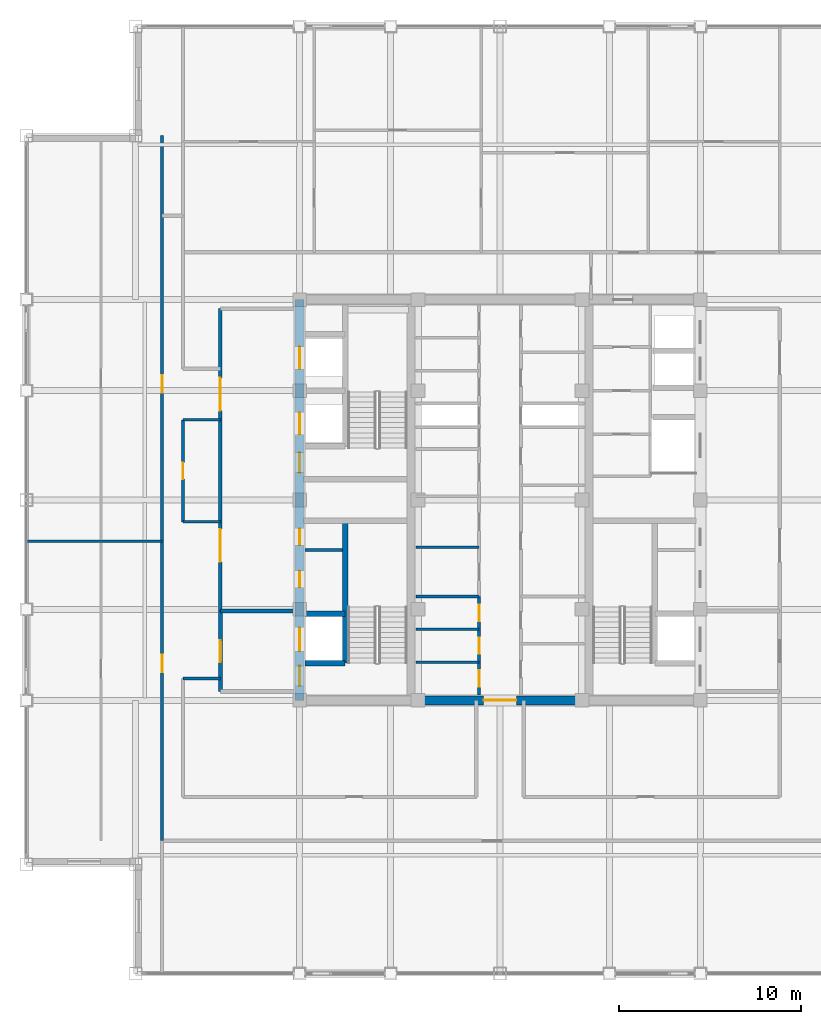
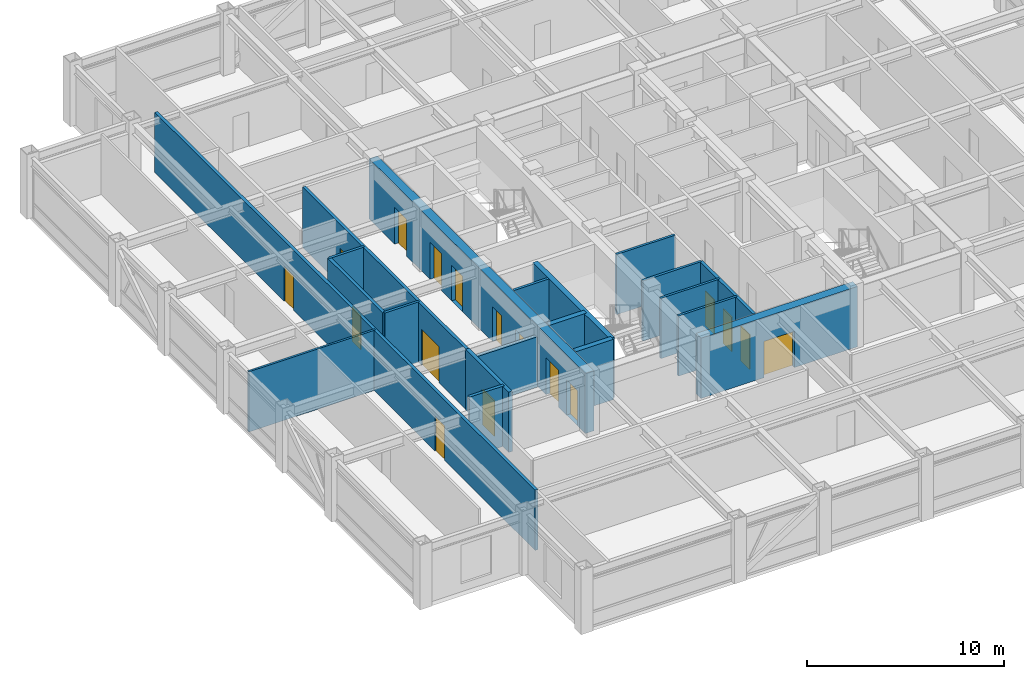
# One storey, part 24 of 29: 20 walls, 17 doors, 17 openings.
"""IFC4 building model written with IfcOpenShell, lengths in metres."""

import ifcopenshell
import ifcopenshell.guid

model = None  # the IFC model being written
_history = None  # IfcOwnerHistory: only IFC2X3 demands one
_inside = {}  # id of a spatial element -> (the spatial element, [elements in it])
_under = {}  # id of a project, library or spatial element -> (it, [spatial elements below it])
_declared = {}  # id of a project -> (the project, [libraries it declares])
_typed = {}  # id of a type object -> (the type object, [elements of that type])
_made_of = {}  # id of a material, layer set ... -> (it, [elements and type objects made of it])


def new_model(schema):
    """Start an empty IFC model of exactly this schema.

    Asked for "IFC4X3", IfcOpenShell would pick the latest addendum, in which some entities
    have other attributes; the version numbers below select the first issue.
    IFC2X3 requires an IfcOwnerHistory on every rooted entity: one is made here for all.
    """
    global model, _history
    if schema == "IFC4X3":
        model = ifcopenshell.file(schema_version=(4, 3, 0, 0))
    else:
        model = ifcopenshell.file(schema=schema)
    _inside.clear()
    _under.clear()
    _declared.clear()
    _typed.clear()
    _made_of.clear()
    _history = None
    if model.schema == "IFC2X3":
        org = make("IfcOrganization", Name="unknown")
        user = make(
            "IfcPersonAndOrganization",
            ThePerson=make("IfcPerson", FamilyName="unknown"),
            TheOrganization=org,
        )
        app = make(
            "IfcApplication",
            ApplicationDeveloper=org,
            Version="unknown",
            ApplicationFullName="unknown",
            ApplicationIdentifier="unknown",
        )
        _history = make(
            "IfcOwnerHistory",
            OwningUser=user,
            OwningApplication=app,
            ChangeAction="ADDED",
            CreationDate=0,
        )
    return model


def make(cls, **values):
    """One entity of the class cls with the attributes given. An attribute that is None is left unset."""
    return model.create_entity(
        cls, **{name: value for name, value in values.items() if value is not None}
    )


def rooted(cls, **values):
    """An entity with a GlobalId (a new one), such as an element, a storey or a relation."""
    return make(cls, GlobalId=ifcopenshell.guid.new(), OwnerHistory=_history, **values)


def si_unit(unit_type, name, prefix=None):
    """IfcSIUnit, for example si_unit("LENGTHUNIT", "METRE", prefix="MILLI")."""
    return make("IfcSIUnit", UnitType=unit_type, Prefix=prefix, Name=name)


def assignment(units):
    """IfcUnitAssignment: the units of a project."""
    return None if units is None else make("IfcUnitAssignment", Units=units)


def point(xyz):
    """IfcCartesianPoint."""
    return None if xyz is None else make("IfcCartesianPoint", Coordinates=xyz)


def direction(xyz):
    """IfcDirection."""
    return None if xyz is None else make("IfcDirection", DirectionRatios=xyz)


def frame(location, z_axis=None, x_axis=None):
    """IfcAxis2Placement3D, a coordinate frame: its origin and axes. An axis left out is left unset."""
    return make(
        "IfcAxis2Placement3D",
        Location=point(location),
        Axis=direction(z_axis),
        RefDirection=direction(x_axis),
    )


def frame_2d(location, x_axis=None):
    """IfcAxis2Placement2D, a coordinate frame in the plane: its origin and x axis."""
    return make(
        "IfcAxis2Placement2D", Location=point(location), RefDirection=direction(x_axis)
    )


def origin():
    """The frame at (0, 0, 0) with its axes left unset."""
    return frame((0.0, 0.0, 0.0))


def place(relative_to, where):
    """IfcLocalPlacement: puts the frame where relative to a parent placement (None: the world)."""
    return make(
        "IfcLocalPlacement", PlacementRelTo=relative_to, RelativePlacement=where
    )


def context(
    kind, dimensions, precision=None, world=None, true_north=None, identifier=None
):
    """IfcGeometricRepresentationContext, for example the 3D "Model" context."""
    return make(
        "IfcGeometricRepresentationContext",
        ContextIdentifier=identifier,
        ContextType=kind,
        CoordinateSpaceDimension=dimensions,
        Precision=precision,
        WorldCoordinateSystem=world,
        TrueNorth=true_north,
    )


def subcontext(parent, identifier, kind, view, scale=None):
    """IfcGeometricRepresentationSubContext, for example "Body" below "Model"."""
    return make(
        "IfcGeometricRepresentationSubContext",
        ContextIdentifier=identifier,
        ContextType=kind,
        ParentContext=parent,
        TargetScale=scale,
        TargetView=view,
    )


def project(units=None, contexts=None):
    """IfcProject with its units and contexts."""
    return rooted(
        "IfcProject",
        Name="project",
        RepresentationContexts=contexts,
        UnitsInContext=assignment(units),
    )


def spatial(cls, under=None, at=None, **own):
    """A site, building, storey or space (cls), placed at a placement, below another one or the project."""
    s = rooted(cls, ObjectPlacement=at, **own)
    if under is not None:
        _under.setdefault(under.id(), (under, []))[1].append(s)
    return s


def profile(cls, at=None, kind="AREA", **sizes):
    """A parametric profile (cls). Its sizes go by their IFC names, for example OverallWidth=200.0."""
    return make(cls, ProfileType=kind, Position=at, **sizes)


def rectangle(**sizes):
    """IfcRectangleProfileDef."""
    return profile("IfcRectangleProfileDef", **sizes)


def extrude(swept, where, along, depth):
    """IfcExtrudedAreaSolid: the profile swept, set in the frame where, extruded along a direction by depth."""
    return make(
        "IfcExtrudedAreaSolid",
        SweptArea=swept,
        Position=where,
        ExtrudedDirection=direction(along),
        Depth=depth,
    )


def shape(context_of_items, identifier, shape_type, items):
    """IfcShapeRepresentation: the items that make up one representation, for example the "Body"."""
    return make(
        "IfcShapeRepresentation",
        ContextOfItems=context_of_items,
        RepresentationIdentifier=identifier,
        RepresentationType=shape_type,
        Items=items,
    )


def source(mapping_origin, context_of_items, identifier, shape_type, items):
    """IfcRepresentationMap: a shape defined once, which mapped items show again and again."""
    return make(
        "IfcRepresentationMap",
        MappingOrigin=mapping_origin,
        MappedRepresentation=shape(context_of_items, identifier, shape_type, items),
    )


def transform(
    local_origin,
    x_axis=None,
    y_axis=None,
    z_axis=None,
    scale=None,
    scale2=None,
    scale3=None,
    uniform=True,
):
    """IfcCartesianTransformationOperator3D, or its non-uniform kind. x_axis, y_axis, z_axis: its Axis1, 2, 3."""
    if uniform:
        return make(
            "IfcCartesianTransformationOperator3D",
            Axis1=direction(x_axis),
            Axis2=direction(y_axis),
            LocalOrigin=point(local_origin),
            Scale=scale,
            Axis3=direction(z_axis),
        )
    return make(
        "IfcCartesianTransformationOperator3DnonUniform",
        Axis1=direction(x_axis),
        Axis2=direction(y_axis),
        LocalOrigin=point(local_origin),
        Scale=scale,
        Axis3=direction(z_axis),
        Scale2=scale2,
        Scale3=scale3,
    )


def mapped(mapping_source, mapping_target):
    """IfcMappedItem: shows the shape of a source again, moved by a transform."""
    return make(
        "IfcMappedItem", MappingSource=mapping_source, MappingTarget=mapping_target
    )


def material(Name=None, Category=None):
    """IfcMaterial."""
    return make("IfcMaterial", Name=Name, Category=Category)


def layer(
    of_material, thickness, ventilated=None, Name=None, Category=None, Priority=None
):
    """IfcMaterialLayer: one layer of a wall or slab, of a material (None: an air gap)."""
    return make(
        "IfcMaterialLayer",
        Material=of_material,
        LayerThickness=thickness,
        IsVentilated=ventilated,
        Name=Name,
        Category=Category,
        Priority=Priority,
    )


def layer_set(layers, Name=None):
    """IfcMaterialLayerSet."""
    return make("IfcMaterialLayerSet", MaterialLayers=layers, LayerSetName=Name)


def made_of(thing, what):
    """Note that an element or type object is made of a material, layer set ...; save() writes the relation."""
    if what is not None:
        _made_of.setdefault(what.id(), (what, []))[1].append(thing)
    return thing


def type_object(cls, material=None, **own):
    """A type object (cls), such as IfcWallType, which elements share."""
    return made_of(rooted(cls, **own), material)


def element(
    cls,
    number,
    at=None,
    inside=None,
    cuts=None,
    type_object=None,
    material=None,
    context=None,
    identifier="Body",
    shape_type=None,
    held_by="IfcProductDefinitionShape",
    body=None,
    shapes=None,
    **own,
):
    """One element of the class cls, such as IfcWall. Its Tag is "e" and its number.

    at: its placement. inside: the storey or other place that contains it. cuts: it is an
    opening in that element (IfcRelVoidsElement). A single representation is given by context,
    identifier, shape_type and body (its items); several are given by shapes. held_by: the class
    of the entity that holds the representations. save() writes the other relations.
    """
    e = rooted(cls, Tag="e%d" % number, ObjectPlacement=at, **own)
    if body is not None:
        shapes = [shape(context, identifier, shape_type, body)]
    if shapes is not None:
        e.Representation = make(held_by, Representations=shapes)
    if inside is not None:
        _inside.setdefault(inside.id(), (inside, []))[1].append(e)
    if cuts is not None:
        rooted(
            "IfcRelVoidsElement", RelatingBuildingElement=cuts, RelatedOpeningElement=e
        )
    if type_object is not None:
        _typed.setdefault(type_object.id(), (type_object, []))[1].append(e)
    return made_of(e, material)


def fill(opening, filler):
    """IfcRelFillsElement: the door or window that sits in an opening."""
    return rooted(
        "IfcRelFillsElement",
        RelatingOpeningElement=opening,
        RelatedBuildingElement=filler,
    )


def aggregate(whole, parts):
    """IfcRelAggregates: a whole, such as a stair, and the parts it consists of."""
    return rooted("IfcRelAggregates", RelatingObject=whole, RelatedObjects=parts)


def save(model, path):
    """Write the relations noted so far, then the file.

    IfcRelAggregates (storeys below a building ...), IfcRelContainedInSpatialStructure (elements
    in a storey), IfcRelDefinesByType, IfcRelAssociatesMaterial and IfcRelDeclares: one each for
    every whole, place, type object, material and project.
    """
    for whole, parts in _under.values():
        aggregate(whole, parts)
    for where, things in _inside.values():
        rooted(
            "IfcRelContainedInSpatialStructure",
            RelatedElements=things,
            RelatingStructure=where,
        )
    for kind, things in _typed.values():
        rooted("IfcRelDefinesByType", RelatedObjects=things, RelatingType=kind)
    for what, things in _made_of.values():
        rooted("IfcRelAssociatesMaterial", RelatedObjects=things, RelatingMaterial=what)
    for by, libraries in _declared.values():
        rooted("IfcRelDeclares", RelatingContext=by, RelatedDefinitions=libraries)
    model.write(path)


model = new_model("IFC4")

# Units and contexts
model_context = context("Model", 3, precision=1e-05, world=origin(), true_north=direction((0.0, 1.0)))
body_context = subcontext(model_context, "Body", "Model", "MODEL_VIEW")
ifc_project = project(units=[si_unit("LENGTHUNIT", "METRE"), si_unit("AREAUNIT", "SQUARE_METRE"), si_unit("VOLUMEUNIT", "CUBIC_METRE"), si_unit("PLANEANGLEUNIT", "RADIAN"), si_unit("MASSUNIT", "GRAM", prefix="KILO")], contexts=[model_context])

# Site, building, storey
site_placement = place(None, origin())
site = spatial("IfcSite", under=ifc_project, at=site_placement, CompositionType="ELEMENT")
building_placement = place(site_placement, origin())
building = spatial("IfcBuilding", under=site, at=building_placement, Name="Khorayat Bourse Tower", CompositionType="ELEMENT")
storey_placement = place(building_placement, frame((0.0, 0.0, 358.300048828125)))
storey = spatial("IfcBuildingStorey", under=building, at=storey_placement, Name="L85", CompositionType="ELEMENT", Elevation=358.300048828125)

# Wall, openings, doors
ifc_material_1 = material(Name="Concrete C52/65", Category="concrete")
ifc_layer_1 = layer(ifc_material_1, 0.5)
ifc_layer_set_1 = layer_set([ifc_layer_1], Name="Concrete C52/65")
wall_type_1 = type_object("IfcWallType", Name="WAL-CORE-500", PredefinedType="SHEAR", material=ifc_layer_set_1)
shared_shape_1 = source(origin(), body_context, "Body", "SweptSolid", [
    extrude(rectangle(XDim=22.0, YDim=0.5, at=frame_2d((11.0, 0.0))), origin(), (0.0, 0.0, 1.0), 3.739990234375),
])
wall_1_placement = place(storey_placement, frame((-11.0, -11.0, 0.0), z_axis=(0.0, 0.0, 1.0), x_axis=(0.0, 1.0, 0.0)))
wall_1 = element("IfcWall", 1, at=wall_1_placement, inside=storey, type_object=wall_type_1, Name="L85 Core Shear Wall CORE-W", PredefinedType="SHEAR", context=body_context, shape_type="MappedRepresentation", body=[
    mapped(shared_shape_1, transform((0.0, 0.0, 0.0), scale=1.0)),
])
shared_shape_2 = source(origin(), body_context, "Body", "SweptSolid", [
    extrude(rectangle(XDim=1.10009765625, YDim=2.199951171875, at=frame_2d((0.550048828125, 1.10009765625))), frame((0.0, 0.260009765625, 0.0), z_axis=(0.0, -1.0, 0.0), x_axis=(1.0, 0.0, 0.0)), (0.0, 0.0, 1.0), 0.52001953125),
])
opening_1_placement = place(wall_1_placement, frame((0.800048828125, 0.0, 0.0)))
opening_1 = element("IfcOpeningElement", 2, at=opening_1_placement, cuts=wall_1, Name="Opening DI-01", PredefinedType="OPENING", context=body_context, shape_type="MappedRepresentation", body=[
    mapped(shared_shape_2, transform((0.0, 0.0, 0.0), scale=1.0)),
])
opening_2_placement = place(wall_1_placement, frame((12.5, 0.0, 0.0)))
opening_2 = element("IfcOpeningElement", 3, at=opening_2_placement, cuts=wall_1, Name="Opening DI-01", PredefinedType="OPENING", context=body_context, shape_type="MappedRepresentation", body=[
    mapped(shared_shape_2, transform((0.0, 0.0, 0.0), scale=1.0)),
])
shared_shape_3 = source(origin(), body_context, "Body", "SweptSolid", [
    extrude(rectangle(XDim=0.89990234375, YDim=2.14990234375, at=frame_2d((0.449951171875, 1.074951171875))), frame((0.0, 0.260009765625, 0.0), z_axis=(0.0, -1.0, 0.0), x_axis=(1.0, 0.0, 0.0)), (0.0, 0.0, 1.0), 0.52001953125),
])
opening_3_placement = place(wall_1_placement, frame((6.199951171875, 0.0, 0.0)))
opening_3 = element("IfcOpeningElement", 4, at=opening_3_placement, cuts=wall_1, Name="Opening DI-06", PredefinedType="OPENING", context=body_context, shape_type="MappedRepresentation", body=[
    mapped(shared_shape_3, transform((0.0, 0.0, 0.0), scale=1.0)),
])
opening_4_placement = place(wall_1_placement, frame((8.52490234375, 0.0, 0.0)))
opening_4 = element("IfcOpeningElement", 5, at=opening_4_placement, cuts=wall_1, Name="Opening DI-06", PredefinedType="OPENING", context=body_context, shape_type="MappedRepresentation", body=[
    mapped(shared_shape_3, transform((0.0, 0.0, 0.0), scale=1.0)),
])
shared_shape_4 = source(origin(), body_context, "Body", "SweptSolid", [
    extrude(rectangle(XDim=1.199951171875, YDim=2.300048828125, at=frame_2d((0.60009765625, 1.14990234375))), frame((0.0, 0.260009765625, 0.0), z_axis=(0.0, -1.0, 0.0), x_axis=(1.0, 0.0, 0.0)), (0.0, 0.0, 1.0), 0.52001953125),
])
opening_5_placement = place(wall_1_placement, frame((14.60009765625, 0.0, 0.0)))
opening_5 = element("IfcOpeningElement", 6, at=opening_5_placement, cuts=wall_1, Name="Opening LD-01", PredefinedType="OPENING", context=body_context, shape_type="MappedRepresentation", body=[
    mapped(shared_shape_4, transform((0.0, 0.0, 0.0), scale=1.0)),
])
opening_6_placement = place(wall_1_placement, frame((18.199951171875, 0.0, 0.0)))
opening_6 = element("IfcOpeningElement", 7, at=opening_6_placement, cuts=wall_1, Name="Opening LD-01", PredefinedType="OPENING", context=body_context, shape_type="MappedRepresentation", body=[
    mapped(shared_shape_4, transform((0.0, 0.0, 0.0), scale=1.0)),
])
shared_shape_5 = source(origin(), body_context, "Body", "SweptSolid", [
    extrude(rectangle(XDim=1.300048828125, YDim=2.300048828125, at=frame_2d((0.64990234375, 1.14990234375))), frame((0.0, 0.260009765625, 0.0), z_axis=(0.0, -1.0, 0.0), x_axis=(1.0, 0.0, 0.0)), (0.0, 0.0, 1.0), 0.52001953125),
])
opening_7_placement = place(wall_1_placement, frame((2.699951171875, 0.0, 0.0)))
opening_7 = element("IfcOpeningElement", 8, at=opening_7_placement, cuts=wall_1, Name="Opening LD-02", PredefinedType="OPENING", context=body_context, shape_type="MappedRepresentation", body=[
    mapped(shared_shape_5, transform((0.0, 0.0, 0.0), scale=1.0)),
])
ifc_material_2 = material(Name="Fire-rated steel acoustic leaf", Category="steel")
door_type_1 = type_object("IfcDoorType", Name="DR-INT-STAIR-1100", OperationType="NOTDEFINED", PredefinedType="DOOR", material=ifc_material_2)
shared_shape_6 = source(origin(), body_context, "Body", "SweptSolid", [
    extrude(rectangle(XDim=1.10009765625, YDim=2.199951171875, at=frame_2d((0.550048828125, 1.10009765625))), frame((0.0, 0.02490234375, 0.0), z_axis=(0.0, -1.0, 0.0), x_axis=(1.0, 0.0, 0.0)), (0.0, 0.0, 1.0), 0.050048828125),
])
door_1_placement = place(opening_1_placement, origin())
door_1 = element("IfcDoor", 9, at=door_1_placement, inside=storey, type_object=door_type_1, Name="L85 Exit Stair 1 Door", OperationType="SINGLE_SWING_RIGHT", OverallHeight=2.199951171875, OverallWidth=1.10009765625, PredefinedType="DOOR", context=body_context, shape_type="MappedRepresentation", body=[
    mapped(shared_shape_6, transform((0.0, 0.0, 0.0), scale=1.0)),
])
fill(opening_1, door_1)
door_2_placement = place(opening_2_placement, origin())
door_2 = element("IfcDoor", 10, at=door_2_placement, inside=storey, type_object=door_type_1, Name="L85 Exit Stair 2 Door", OperationType="SINGLE_SWING_RIGHT", OverallHeight=2.199951171875, OverallWidth=1.10009765625, PredefinedType="DOOR", context=body_context, shape_type="MappedRepresentation", body=[
    mapped(shared_shape_6, transform((0.0, 0.0, 0.0), scale=1.0)),
])
fill(opening_2, door_2)
ifc_material_3 = material(Name="Moisture-resistant laminate washroom door")
door_type_2 = type_object("IfcDoorType", Name="DR-INT-WC-900", OperationType="NOTDEFINED", PredefinedType="DOOR", material=ifc_material_3)
shared_shape_7 = source(origin(), body_context, "Body", "SweptSolid", [
    extrude(rectangle(XDim=0.89990234375, YDim=2.14990234375, at=frame_2d((0.449951171875, 1.074951171875))), frame((0.0, 0.02490234375, 0.0), z_axis=(0.0, -1.0, 0.0), x_axis=(1.0, 0.0, 0.0)), (0.0, 0.0, 1.0), 0.050048828125),
])
door_3_placement = place(opening_3_placement, origin())
door_3 = element("IfcDoor", 11, at=door_3_placement, inside=storey, type_object=door_type_2, Name="L85 Switch Closet Door", OperationType="SINGLE_SWING_RIGHT", OverallHeight=2.14990234375, OverallWidth=0.89990234375, PredefinedType="DOOR", context=body_context, shape_type="MappedRepresentation", body=[
    mapped(shared_shape_7, transform((0.0, 0.0, 0.0), scale=1.0)),
])
fill(opening_3, door_3)
door_4_placement = place(opening_4_placement, origin())
door_4 = element("IfcDoor", 12, at=door_4_placement, inside=storey, type_object=door_type_2, Name="L85 Janitor Store Door", OperationType="SINGLE_SWING_LEFT", OverallHeight=2.14990234375, OverallWidth=0.89990234375, PredefinedType="DOOR", context=body_context, shape_type="MappedRepresentation", body=[
    mapped(shared_shape_7, transform((0.0, 0.0, 0.0), scale=1.0)),
])
fill(opening_4, door_4)
ifc_material_4 = material(Name="Brushed bronze stainless-steel sliding door", Category="steel")
door_type_3 = type_object("IfcDoorType", Name="DR-LIFT-PASS-1200", OperationType="NOTDEFINED", PredefinedType="DOOR", material=ifc_material_4)
shared_shape_8 = source(origin(), body_context, "Body", "SweptSolid", [
    extrude(rectangle(XDim=1.199951171875, YDim=2.300048828125, at=frame_2d((0.60009765625, 1.14990234375))), frame((0.0, 0.02490234375, 0.0), z_axis=(0.0, -1.0, 0.0), x_axis=(1.0, 0.0, 0.0)), (0.0, 0.0, 1.0), 0.050048828125),
])
door_5_placement = place(opening_5_placement, origin())
door_5 = element("IfcDoor", 13, at=door_5_placement, inside=storey, type_object=door_type_3, Name="L85 Lift PL-H1 Sliding Landing Door", OperationType="SLIDING_TO_LEFT", OverallHeight=2.300048828125, OverallWidth=1.199951171875, PredefinedType="DOOR", context=body_context, shape_type="MappedRepresentation", body=[
    mapped(shared_shape_8, transform((0.0, 0.0, 0.0), scale=1.0)),
])
fill(opening_5, door_5)
door_6_placement = place(opening_6_placement, origin())
door_6 = element("IfcDoor", 14, at=door_6_placement, inside=storey, type_object=door_type_3, Name="L85 Lift PL-H2 Sliding Landing Door", OperationType="SLIDING_TO_LEFT", OverallHeight=2.300048828125, OverallWidth=1.199951171875, PredefinedType="DOOR", context=body_context, shape_type="MappedRepresentation", body=[
    mapped(shared_shape_8, transform((0.0, 0.0, 0.0), scale=1.0)),
])
fill(opening_6, door_6)
ifc_material_5 = material(Name="Fire-rated stainless-steel sliding landing door", Category="steel")
door_type_4 = type_object("IfcDoorType", Name="DR-LIFT-FF-1300", OperationType="NOTDEFINED", PredefinedType="DOOR", material=ifc_material_5)
shared_shape_9 = source(origin(), body_context, "Body", "SweptSolid", [
    extrude(rectangle(XDim=1.300048828125, YDim=2.300048828125, at=frame_2d((0.64990234375, 1.14990234375))), frame((0.0, 0.02490234375, 0.0), z_axis=(0.0, -1.0, 0.0), x_axis=(1.0, 0.0, 0.0)), (0.0, 0.0, 1.0), 0.050048828125),
])
door_7_placement = place(opening_7_placement, origin())
door_7 = element("IfcDoor", 15, at=door_7_placement, inside=storey, type_object=door_type_4, Name="L85 Lift FFL-01 Sliding Landing Door", OperationType="SLIDING_TO_LEFT", OverallHeight=2.300048828125, OverallWidth=1.300048828125, PredefinedType="DOOR", context=body_context, shape_type="MappedRepresentation", body=[
    mapped(shared_shape_9, transform((0.0, 0.0, 0.0), scale=1.0)),
])
fill(opening_7, door_7)

# Wall, opening, door
shared_shape_10 = source(origin(), body_context, "Body", "SweptSolid", [
    extrude(rectangle(XDim=9.2001953125, YDim=0.5, at=frame_2d((4.60009765625, 0.0))), origin(), (0.0, 0.0, 1.0), 3.739990234375),
])
wall_2_placement = place(storey_placement, frame((-4.60009765625, -11.0, 0.0), z_axis=(0.0, 0.0, 1.0), x_axis=(1.0, 0.0, 0.0)))
wall_2 = element("IfcWall", 16, at=wall_2_placement, inside=storey, type_object=wall_type_1, Name="L85 Core Shear Wall CORE-S", PredefinedType="SHEAR", context=body_context, shape_type="MappedRepresentation", body=[
    mapped(shared_shape_10, transform((0.0, 0.0, 0.0), scale=1.0)),
])
shared_shape_11 = source(origin(), body_context, "Body", "SweptSolid", [
    extrude(rectangle(XDim=1.800048828125, YDim=2.25, at=frame_2d((0.89990234375, 1.125))), frame((0.0, 0.260009765625, 0.0), z_axis=(0.0, -1.0, 0.0), x_axis=(1.0, 0.0, 0.0)), (0.0, 0.0, 1.0), 0.52001953125),
])
opening_8_placement = place(wall_2_placement, frame((3.699951171875, 0.0, 0.0)))
opening_8 = element("IfcOpeningElement", 17, at=opening_8_placement, cuts=wall_2, Name="Opening DI-03", PredefinedType="OPENING", context=body_context, shape_type="MappedRepresentation", body=[
    mapped(shared_shape_11, transform((0.0, 0.0, 0.0), scale=1.0)),
])
ifc_material_6 = material(Name="Fire-rated hardwood vision-panel double leaf", Category="wood")
door_type_5 = type_object("IfcDoorType", Name="DR-INT-CORR-1800", OperationType="NOTDEFINED", PredefinedType="DOOR", material=ifc_material_6)
shared_shape_12 = source(origin(), body_context, "Body", "SweptSolid", [
    extrude(rectangle(XDim=1.800048828125, YDim=2.25, at=frame_2d((0.89990234375, 1.125))), frame((0.0, 0.02490234375, 0.0), z_axis=(0.0, -1.0, 0.0), x_axis=(1.0, 0.0, 0.0)), (0.0, 0.0, 1.0), 0.050048828125),
])
door_8_placement = place(opening_8_placement, origin())
door_8 = element("IfcDoor", 18, at=door_8_placement, inside=storey, type_object=door_type_5, Name="L85 Central Core South Passage Door", OperationType="SINGLE_SWING_LEFT", OverallHeight=2.25, OverallWidth=1.800048828125, PredefinedType="DOOR", context=body_context, shape_type="MappedRepresentation", body=[
    mapped(shared_shape_12, transform((0.0, 0.0, 0.0), scale=1.0)),
])
fill(opening_8, door_8)

# Walls
ifc_material_7 = material(Name="Concrete C50/60", Category="concrete")
ifc_layer_2 = layer(ifc_material_7, 0.300048828125)
ifc_layer_set_2 = layer_set([ifc_layer_2], Name="Concrete C50/60")
wall_type_2 = type_object("IfcWallType", Name="WAL-SHAFT-300", PredefinedType="SHEAR", material=ifc_layer_set_2)
shared_shape_13 = source(origin(), body_context, "Body", "SweptSolid", [
    extrude(rectangle(XDim=7.800048828125, YDim=0.300048828125, at=frame_2d((3.89990234375, 0.0))), origin(), (0.0, 0.0, 1.0), 3.739990234375),
])
wall_3_placement = place(storey_placement, frame((-8.5, -8.949951171875, 0.0), z_axis=(0.0, 0.0, 1.0), x_axis=(0.0, 1.0, 0.0)))
element("IfcWall", 19, at=wall_3_placement, inside=storey, type_object=wall_type_2, Name="L85 Partition WAL-L85-WPIER-SP", PredefinedType="SHEAR", context=body_context, shape_type="MappedRepresentation", body=[
    mapped(shared_shape_13, transform((0.0, 0.0, 0.0), scale=1.0)),
])
shared_shape_14 = source(origin(), body_context, "Body", "SweptSolid", [
    extrude(rectangle(XDim=2.199951171875, YDim=0.300048828125, at=frame_2d((1.10009765625, 0.0))), origin(), (0.0, 0.0, 1.0), 3.739990234375),
])
for number, where, z_axis, x_axis, name in (
    (20, (-10.699951171875, -8.949951171875, 0.0), (0.0, 0.0, 1.0), (1.0, 0.0, 0.0), "L85 Partition WAL-L85-WPIER-FF1S"),
    (21, (-10.699951171875, -6.25, 0.0), (0.0, 0.0, 1.0), (1.0, 0.0, 0.0), "L85 Partition WAL-L85-WPIER-FF1N"),
):
    element("IfcWall", number, at=place(storey_placement, frame(where, z_axis=z_axis, x_axis=x_axis)), inside=storey, type_object=wall_type_2, Name=name, PredefinedType="SHEAR", context=body_context, shape_type="MappedRepresentation", body=[
        mapped(shared_shape_14, transform((0.0, 0.0, 0.0), scale=1.0)),
    ])
ifc_material_8 = material(Name="Gypsum plasterboard twin-frame partition")
ifc_layer_3 = layer(ifc_material_8, 0.14990234375)
ifc_layer_set_3 = layer_set([ifc_layer_3], Name="Gypsum plasterboard twin-frame partition")
wall_type_3 = type_object("IfcWallType", Name="WAL-PART-SUITE-150", PredefinedType="PARTITIONING", material=ifc_layer_set_3)
shared_shape_15 = source(origin(), body_context, "Body", "SweptSolid", [
    extrude(rectangle(XDim=2.050048828125, YDim=0.14990234375, at=frame_2d((1.02490234375, 0.0))), origin(), (0.0, 0.0, 1.0), 3.739990234375),
])
wall_4_placement = place(storey_placement, frame((-10.699951171875, -2.75, 0.0), z_axis=(0.0, 0.0, 1.0), x_axis=(1.0, 0.0, 0.0)))
element("IfcWall", 22, at=wall_4_placement, inside=storey, type_object=wall_type_3, Name="L85 Partition WAL-L85-WSRV-D1", PredefinedType="PARTITIONING", context=body_context, shape_type="MappedRepresentation", body=[
    mapped(shared_shape_15, transform((0.0, 0.0, 0.0), scale=1.0)),
])
ifc_material_9 = material(Name="Aerated concrete blockwork", Category="masonry")
ifc_layer_4 = layer(ifc_material_9, 0.219970703125)
ifc_layer_set_4 = layer_set([ifc_layer_4], Name="Aerated concrete blockwork")
wall_type_4 = type_object("IfcWallType", Name="WAL-PART-FF-220", PredefinedType="PARTITIONING", material=ifc_layer_set_4)
shared_shape_16 = source(origin(), body_context, "Body", "SweptSolid", [
    extrude(rectangle(XDim=4.050048828125, YDim=0.219970703125, at=frame_2d((2.02490234375, 0.0))), origin(), (0.0, 0.0, 1.0), 3.1240234375),
])
wall_5_placement = place(storey_placement, frame((-15.35009765625, -6.10009765625, 0.0), z_axis=(0.0, 0.0, 1.0), x_axis=(1.0, 0.0, 0.0)))
element("IfcWall", 23, at=wall_5_placement, inside=storey, type_object=wall_type_4, Name="L85 Partition WAL-L85-FFLW-N", PredefinedType="PARTITIONING", context=body_context, shape_type="MappedRepresentation", body=[
    mapped(shared_shape_16, transform((0.0, 0.0, 0.0), scale=1.0)),
])

# Wall, opening, door
shared_shape_17 = source(origin(), body_context, "Body", "SweptSolid", [
    extrude(rectangle(XDim=4.39990234375, YDim=0.219970703125, at=frame_2d((2.199951171875, 0.0))), origin(), (0.0, 0.0, 1.0), 3.739990234375),
])
wall_6_placement = place(storey_placement, frame((-15.35009765625, -10.5, 0.0), z_axis=(0.0, 0.0, 1.0), x_axis=(0.0, 1.0, 0.0)))
wall_6 = element("IfcWall", 24, at=wall_6_placement, inside=storey, type_object=wall_type_4, Name="L85 Partition WAL-L85-FFLW-W", PredefinedType="PARTITIONING", context=body_context, shape_type="MappedRepresentation", body=[
    mapped(shared_shape_17, transform((0.0, 0.0, 0.0), scale=1.0)),
])
shared_shape_18 = source(origin(), body_context, "Body", "SweptSolid", [
    extrude(rectangle(XDim=1.199951171875, YDim=2.199951171875, at=frame_2d((0.60009765625, 1.10009765625))), frame((0.0, 0.119873046875, 0.0), z_axis=(0.0, -1.0, 0.0), x_axis=(1.0, 0.0, 0.0)), (0.0, 0.0, 1.0), 0.239990234375),
])
opening_9_placement = place(wall_6_placement, frame((1.60009765625, 0.0, 0.0)))
opening_9 = element("IfcOpeningElement", 25, at=opening_9_placement, cuts=wall_6, Name="Opening DI-02", PredefinedType="OPENING", context=body_context, shape_type="MappedRepresentation", body=[
    mapped(shared_shape_18, transform((0.0, 0.0, 0.0), scale=1.0)),
])
ifc_material_10 = material(Name="Fire-rated steel double-seal leaf", Category="steel")
door_type_6 = type_object("IfcDoorType", Name="DR-INT-FFLOBBY-1200", OperationType="NOTDEFINED", PredefinedType="DOOR", material=ifc_material_10)
shared_shape_19 = source(origin(), body_context, "Body", "SweptSolid", [
    extrude(rectangle(XDim=1.199951171875, YDim=2.199951171875, at=frame_2d((0.60009765625, 1.10009765625))), frame((0.0, 0.02490234375, 0.0), z_axis=(0.0, -1.0, 0.0), x_axis=(1.0, 0.0, 0.0)), (0.0, 0.0, 1.0), 0.050048828125),
])
door_9_placement = place(opening_9_placement, origin())
door_9 = element("IfcDoor", 26, at=door_9_placement, inside=storey, type_object=door_type_6, Name="L85 West Firefighting Lobby Door", OperationType="SINGLE_SWING_LEFT", OverallHeight=2.199951171875, OverallWidth=1.199951171875, PredefinedType="DOOR", context=body_context, shape_type="MappedRepresentation", body=[
    mapped(shared_shape_19, transform((0.0, 0.0, 0.0), scale=1.0)),
])
fill(opening_9, door_9)

# Wall, openings, doors
ifc_material_11 = material(Name="Gypsum plasterboard acoustic stud wall")
ifc_layer_5 = layer(ifc_material_11, 0.179931640625)
ifc_layer_set_5 = layer_set([ifc_layer_5], Name="Gypsum plasterboard acoustic stud wall")
wall_type_5 = type_object("IfcWallType", Name="WAL-PART-CORR-180", PredefinedType="PARTITIONING", material=ifc_layer_set_5)
shared_shape_20 = source(origin(), body_context, "Body", "SweptSolid", [
    extrude(rectangle(XDim=16.60009765625, YDim=0.179931640625, at=frame_2d((8.300048828125, 0.0))), origin(), (0.0, 0.0, 1.0), 3.739990234375),
])
wall_7_placement = place(storey_placement, frame((-15.35009765625, -6.10009765625, 0.0), z_axis=(0.0, 0.0, 1.0), x_axis=(0.0, 1.0, 0.0)))
wall_7 = element("IfcWall", 27, at=wall_7_placement, inside=storey, type_object=wall_type_5, Name="L85 Partition WAL-L85-WLOB-W", PredefinedType="PARTITIONING", context=body_context, shape_type="MappedRepresentation", body=[
    mapped(shared_shape_20, transform((0.0, 0.0, 0.0), scale=1.0)),
])
shared_shape_21 = source(origin(), body_context, "Body", "SweptSolid", [
    extrude(rectangle(XDim=1.800048828125, YDim=2.25, at=frame_2d((0.89990234375, 1.125))), frame((0.0, 0.099853515625, 0.0), z_axis=(0.0, -1.0, 0.0), x_axis=(1.0, 0.0, 0.0)), (0.0, 0.0, 1.0), 0.199951171875),
])
opening_10_placement = place(wall_7_placement, frame((2.699951171875, 0.0, 0.0)))
opening_10 = element("IfcOpeningElement", 28, at=opening_10_placement, cuts=wall_7, Name="Opening DI-03", PredefinedType="OPENING", context=body_context, shape_type="MappedRepresentation", body=[
    mapped(shared_shape_21, transform((0.0, 0.0, 0.0), scale=1.0)),
])
opening_11_placement = place(wall_7_placement, frame((11.0, 0.0, 0.0)))
opening_11 = element("IfcOpeningElement", 29, at=opening_11_placement, cuts=wall_7, Name="Opening DI-03", PredefinedType="OPENING", context=body_context, shape_type="MappedRepresentation", body=[
    mapped(shared_shape_21, transform((0.0, 0.0, 0.0), scale=1.0)),
])
door_10_placement = place(opening_10_placement, origin())
door_10 = element("IfcDoor", 30, at=door_10_placement, inside=storey, type_object=door_type_5, Name="L85 West Core Lobby South Door", OperationType="SINGLE_SWING_LEFT", OverallHeight=2.25, OverallWidth=1.800048828125, PredefinedType="DOOR", context=body_context, shape_type="MappedRepresentation", body=[
    mapped(shared_shape_12, transform((0.0, 0.0, 0.0), scale=1.0)),
])
fill(opening_10, door_10)
door_11_placement = place(opening_11_placement, origin())
door_11 = element("IfcDoor", 31, at=door_11_placement, inside=storey, type_object=door_type_5, Name="L85 West Core Lobby North Door", OperationType="SINGLE_SWING_RIGHT", OverallHeight=2.25, OverallWidth=1.800048828125, PredefinedType="DOOR", context=body_context, shape_type="MappedRepresentation", body=[
    mapped(shared_shape_12, transform((0.0, 0.0, 0.0), scale=1.0)),
])
fill(opening_11, door_11)

# Walls
shared_shape_22 = source(origin(), body_context, "Body", "SweptSolid", [
    extrude(rectangle(XDim=3.4501953125, YDim=0.14990234375, at=frame_2d((1.72509765625, 0.0))), origin(), (0.0, 0.0, 1.0), 3.739990234375),
])
wall_8_placement = place(storey_placement, frame((-4.60009765625, -5.300048828125, 0.0), z_axis=(0.0, 0.0, 1.0), x_axis=(1.0, 0.0, 0.0)))
element("IfcWall", 32, at=wall_8_placement, inside=storey, type_object=wall_type_3, Name="L85 Partition WAL-L85-FB1-NW", PredefinedType="PARTITIONING", context=body_context, shape_type="MappedRepresentation", body=[
    mapped(shared_shape_22, transform((0.0, 0.0, 0.0), scale=1.0)),
])
ifc_material_12 = material(Name="Moisture-resistant masonry partition", Category="masonry")
ifc_layer_6 = layer(ifc_material_12, 0.139892578125)
ifc_layer_set_6 = layer_set([ifc_layer_6], Name="Moisture-resistant masonry partition")
wall_type_6 = type_object("IfcWallType", Name="WAL-PART-WET-140", PredefinedType="PARTITIONING", material=ifc_layer_set_6)
shared_shape_23 = source(origin(), body_context, "Body", "SweptSolid", [
    extrude(rectangle(XDim=3.4501953125, YDim=0.139892578125, at=frame_2d((1.72509765625, 0.0))), origin(), (0.0, 0.0, 1.0), 3.739990234375),
])
for number, where, z_axis, x_axis, name in (
    (33, (-4.60009765625, -8.89990234375, 0.0), (0.0, 0.0, 1.0), (1.0, 0.0, 0.0), "L85 Partition WAL-L85-FB1W-D1"),
    (34, (-4.60009765625, -7.10009765625, 0.0), (0.0, 0.0, 1.0), (1.0, 0.0, 0.0), "L85 Partition WAL-L85-FB1W-D2"),
    (35, (-4.60009765625, -2.60009765625, 0.0), (0.0, 0.0, 1.0), (1.0, 0.0, 0.0), "L85 Partition WAL-L85-CMW-D1"),
):
    element("IfcWall", number, at=place(storey_placement, frame(where, z_axis=z_axis, x_axis=x_axis)), inside=storey, type_object=wall_type_6, Name=name, PredefinedType="PARTITIONING", context=body_context, shape_type="MappedRepresentation", body=[
        mapped(shared_shape_23, transform((0.0, 0.0, 0.0), scale=1.0)),
    ])

# Wall, openings, doors
shared_shape_24 = source(origin(), body_context, "Body", "SweptSolid", [
    extrude(rectangle(XDim=5.39990234375, YDim=0.179931640625, at=frame_2d((2.699951171875, 0.0))), origin(), (0.0, 0.0, 1.0), 3.739990234375),
])
wall_9_placement = place(storey_placement, frame((-1.14990234375, -10.699951171875, 0.0), z_axis=(0.0, 0.0, 1.0), x_axis=(0.0, 1.0, 0.0)))
wall_9 = element("IfcWall", 36, at=wall_9_placement, inside=storey, type_object=wall_type_5, Name="L85 Partition WAL-L85-FB1W-L", PredefinedType="PARTITIONING", context=body_context, shape_type="MappedRepresentation", body=[
    mapped(shared_shape_24, transform((0.0, 0.0, 0.0), scale=1.0)),
])
shared_shape_25 = source(origin(), body_context, "Body", "SweptSolid", [
    extrude(rectangle(XDim=0.89990234375, YDim=2.14990234375, at=frame_2d((0.449951171875, 1.074951171875))), frame((0.0, 0.099853515625, 0.0), z_axis=(0.0, -1.0, 0.0), x_axis=(1.0, 0.0, 0.0)), (0.0, 0.0, 1.0), 0.199951171875),
])
opening_12_placement = place(wall_9_placement, frame((0.449951171875, 0.0, 0.0)))
opening_12 = element("IfcOpeningElement", 37, at=opening_12_placement, cuts=wall_9, Name="Opening DI-06", PredefinedType="OPENING", context=body_context, shape_type="MappedRepresentation", body=[
    mapped(shared_shape_25, transform((0.0, 0.0, 0.0), scale=1.0)),
])
opening_13_placement = place(wall_9_placement, frame((2.25, 0.0, 0.0)))
opening_13 = element("IfcOpeningElement", 38, at=opening_13_placement, cuts=wall_9, Name="Opening DI-06", PredefinedType="OPENING", context=body_context, shape_type="MappedRepresentation", body=[
    mapped(shared_shape_25, transform((0.0, 0.0, 0.0), scale=1.0)),
])
opening_14_placement = place(wall_9_placement, frame((4.050048828125, 0.0, 0.0)))
opening_14 = element("IfcOpeningElement", 39, at=opening_14_placement, cuts=wall_9, Name="Opening DI-06", PredefinedType="OPENING", context=body_context, shape_type="MappedRepresentation", body=[
    mapped(shared_shape_25, transform((0.0, 0.0, 0.0), scale=1.0)),
])
door_12_placement = place(opening_12_placement, origin())
door_12 = element("IfcDoor", 40, at=door_12_placement, inside=storey, type_object=door_type_2, Name="L85 Archive Store A Door", OperationType="SINGLE_SWING_RIGHT", OverallHeight=2.14990234375, OverallWidth=0.89990234375, PredefinedType="DOOR", context=body_context, shape_type="MappedRepresentation", body=[
    mapped(shared_shape_7, transform((0.0, 0.0, 0.0), scale=1.0)),
])
fill(opening_12, door_12)
door_13_placement = place(opening_13_placement, origin())
door_13 = element("IfcDoor", 41, at=door_13_placement, inside=storey, type_object=door_type_2, Name="L85 Patch Comms Room Door", OperationType="SINGLE_SWING_LEFT", OverallHeight=2.14990234375, OverallWidth=0.89990234375, PredefinedType="DOOR", context=body_context, shape_type="MappedRepresentation", body=[
    mapped(shared_shape_7, transform((0.0, 0.0, 0.0), scale=1.0)),
])
fill(opening_13, door_13)
door_14_placement = place(opening_14_placement, origin())
door_14 = element("IfcDoor", 42, at=door_14_placement, inside=storey, type_object=door_type_2, Name="L85 Archive Store B Door", OperationType="SINGLE_SWING_RIGHT", OverallHeight=2.14990234375, OverallWidth=0.89990234375, PredefinedType="DOOR", context=body_context, shape_type="MappedRepresentation", body=[
    mapped(shared_shape_7, transform((0.0, 0.0, 0.0), scale=1.0)),
])
fill(opening_14, door_14)

# Wall, opening, door
shared_shape_26 = source(origin(), body_context, "Body", "SweptSolid", [
    extrude(rectangle(XDim=5.599853515625, YDim=0.179931640625, at=frame_2d((2.7998046875, 0.0))), origin(), (0.0, 0.0, 1.0), 3.739990234375),
])
wall_10_placement = place(storey_placement, frame((-17.39990234375, -1.199951171875, 0.0), z_axis=(0.0, 0.0, 1.0), x_axis=(0.0, 1.0, 0.0)))
wall_10 = element("IfcWall", 43, at=wall_10_placement, inside=storey, type_object=wall_type_5, Name="L85 Partition WAL-L85-PKWM-W", PredefinedType="PARTITIONING", context=body_context, shape_type="MappedRepresentation", body=[
    mapped(shared_shape_26, transform((0.0, 0.0, 0.0), scale=1.0)),
])
opening_15_placement = place(wall_10_placement, frame((2.35009765625, 0.0, 0.0)))
opening_15 = element("IfcOpeningElement", 44, at=opening_15_placement, cuts=wall_10, Name="Opening DI-06", PredefinedType="OPENING", context=body_context, shape_type="MappedRepresentation", body=[
    mapped(shared_shape_25, transform((0.0, 0.0, 0.0), scale=1.0)),
])
door_15_placement = place(opening_15_placement, origin())
door_15 = element("IfcDoor", 45, at=door_15_placement, inside=storey, type_object=door_type_2, Name="L85 West Inboard Focus Door", OperationType="SINGLE_SWING_LEFT", OverallHeight=2.14990234375, OverallWidth=0.89990234375, PredefinedType="DOOR", context=body_context, shape_type="MappedRepresentation", body=[
    mapped(shared_shape_7, transform((0.0, 0.0, 0.0), scale=1.0)),
])
fill(opening_15, door_15)

# Walls
shared_shape_27 = source(origin(), body_context, "Body", "SweptSolid", [
    extrude(rectangle(XDim=2.0498046875, YDim=0.14990234375, at=frame_2d((1.02490234375, 0.0))), origin(), (0.0, 0.0, 1.0), 3.739990234375),
])
for number, where, z_axis, x_axis, name in (
    (46, (-17.39990234375, -1.199951171875, 0.0), (0.0, 0.0, 1.0), (1.0, 0.0, 0.0), "L85 Partition WAL-L85-PKWM-S"),
    (47, (-17.39990234375, 4.39990234375, 0.0), (0.0, 0.0, 1.0), (1.0, 0.0, 0.0), "L85 Partition WAL-L85-PKWM-N"),
):
    element("IfcWall", number, at=place(storey_placement, frame(where, z_axis=z_axis, x_axis=x_axis)), inside=storey, type_object=wall_type_3, Name=name, PredefinedType="PARTITIONING", context=body_context, shape_type="MappedRepresentation", body=[
        mapped(shared_shape_27, transform((0.0, 0.0, 0.0), scale=1.0)),
    ])
shared_shape_28 = source(origin(), body_context, "Body", "SweptSolid", [
    extrude(rectangle(XDim=2.0498046875, YDim=0.179931640625, at=frame_2d((1.02490234375, 0.0))), origin(), (0.0, 0.0, 1.0), 3.739990234375),
])
wall_11_placement = place(storey_placement, frame((-17.39990234375, -9.800048828125, 0.0), z_axis=(0.0, 0.0, 1.0), x_axis=(1.0, 0.0, 0.0)))
element("IfcWall", 48, at=wall_11_placement, inside=storey, type_object=wall_type_5, Name="L85 Partition WAL-L85-THRW-S", PredefinedType="PARTITIONING", context=body_context, shape_type="MappedRepresentation", body=[
    mapped(shared_shape_28, transform((0.0, 0.0, 0.0), scale=1.0)),
])
ifc_material_13 = material(Name="Gypsum plasterboard partition")
ifc_layer_7 = layer(ifc_material_13, 0.125)
ifc_layer_set_7 = layer_set([ifc_layer_7], Name="Gypsum plasterboard partition")
wall_type_7 = type_object("IfcWallType", Name="WAL-PART-ROOM-125", PredefinedType="PARTITIONING", material=ifc_layer_set_7)
shared_shape_29 = source(origin(), body_context, "Body", "SweptSolid", [
    extrude(rectangle(XDim=7.449951171875, YDim=0.125, at=frame_2d((3.72509765625, 0.0))), origin(), (0.0, 0.0, 1.0), 3.739990234375),
])
wall_12_placement = place(storey_placement, frame((-26.0, -2.263916015625, 0.0), z_axis=(0.0, 0.0, 1.0), x_axis=(1.0, 0.0, 0.0)))
element("IfcWall", 49, at=wall_12_placement, inside=storey, type_object=wall_type_7, Name="L85 Partition WAL-L85-WDV-1", PredefinedType="PARTITIONING", context=body_context, shape_type="MappedRepresentation", body=[
    mapped(shared_shape_29, transform((0.0, 0.0, 0.0), scale=1.0)),
])

# Wall, openings, doors
shared_shape_30 = source(origin(), body_context, "Body", "SweptSolid", [
    extrude(rectangle(XDim=38.699951171875, YDim=0.179931640625, at=frame_2d((19.35009765625, 0.0))), origin(), (0.0, 0.0, 1.0), 3.739990234375),
])
wall_13_placement = place(storey_placement, frame((-18.550048828125, -18.699951171875, 0.0), z_axis=(0.0, 0.0, 1.0), x_axis=(0.0, 1.0, 0.0)))
wall_13 = element("IfcWall", 50, at=wall_13_placement, inside=storey, type_object=wall_type_5, Name="L85 Partition WAL-L85-WCORR", PredefinedType="PARTITIONING", context=body_context, shape_type="MappedRepresentation", body=[
    mapped(shared_shape_30, transform((0.0, 0.0, 0.0), scale=1.0)),
])
shared_shape_31 = source(origin(), body_context, "Body", "SweptSolid", [
    extrude(rectangle(XDim=0.949951171875, YDim=2.14990234375, at=frame_2d((0.47509765625, 1.074951171875))), frame((0.0, 0.099853515625, 0.0), z_axis=(0.0, -1.0, 0.0), x_axis=(1.0, 0.0, 0.0)), (0.0, 0.0, 1.0), 0.199951171875),
])
opening_16_placement = place(wall_13_placement, frame((9.242919921875, 0.0, 0.0)))
opening_16 = element("IfcOpeningElement", 51, at=opening_16_placement, cuts=wall_13, Name="Opening DI-05", PredefinedType="OPENING", context=body_context, shape_type="MappedRepresentation", body=[
    mapped(shared_shape_31, transform((0.0, 0.0, 0.0), scale=1.0)),
])
opening_17_placement = place(wall_13_placement, frame((24.593017578125, 0.0, 0.0)))
opening_17 = element("IfcOpeningElement", 52, at=opening_17_placement, cuts=wall_13, Name="Opening DI-05", PredefinedType="OPENING", context=body_context, shape_type="MappedRepresentation", body=[
    mapped(shared_shape_31, transform((0.0, 0.0, 0.0), scale=1.0)),
])
ifc_material_14 = material(Name="Acoustic oak veneer office door")
door_type_7 = type_object("IfcDoorType", Name="DR-INT-OFFICE-950", OperationType="NOTDEFINED", PredefinedType="DOOR", material=ifc_material_14)
shared_shape_32 = source(origin(), body_context, "Body", "SweptSolid", [
    extrude(rectangle(XDim=0.949951171875, YDim=2.14990234375, at=frame_2d((0.47509765625, 1.074951171875))), frame((0.0, 0.02490234375, 0.0), z_axis=(0.0, -1.0, 0.0), x_axis=(1.0, 0.0, 0.0)), (0.0, 0.0, 1.0), 0.050048828125),
])
door_16_placement = place(opening_16_placement, origin())
door_16 = element("IfcDoor", 53, at=door_16_placement, inside=storey, type_object=door_type_7, Name="L85 Market Reference Library W1 Door", OperationType="SINGLE_SWING_RIGHT", OverallHeight=2.14990234375, OverallWidth=0.949951171875, PredefinedType="DOOR", context=body_context, shape_type="MappedRepresentation", body=[
    mapped(shared_shape_32, transform((0.0, 0.0, 0.0), scale=1.0)),
])
fill(opening_16, door_16)
door_17_placement = place(opening_17_placement, origin())
door_17 = element("IfcDoor", 54, at=door_17_placement, inside=storey, type_object=door_type_7, Name="L85 Brokerage Member Kiosk W2 Door", OperationType="SINGLE_SWING_LEFT", OverallHeight=2.14990234375, OverallWidth=0.949951171875, PredefinedType="DOOR", context=body_context, shape_type="MappedRepresentation", body=[
    mapped(shared_shape_32, transform((0.0, 0.0, 0.0), scale=1.0)),
])
fill(opening_17, door_17)

save(model, "model.ifc")
